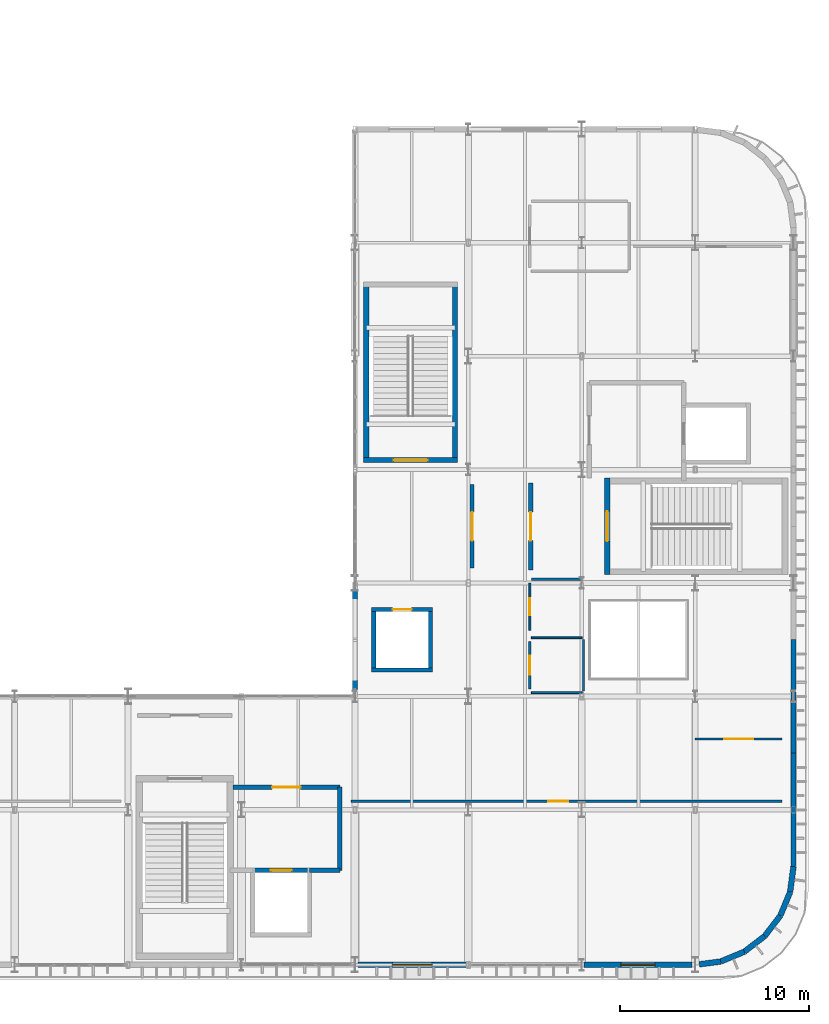
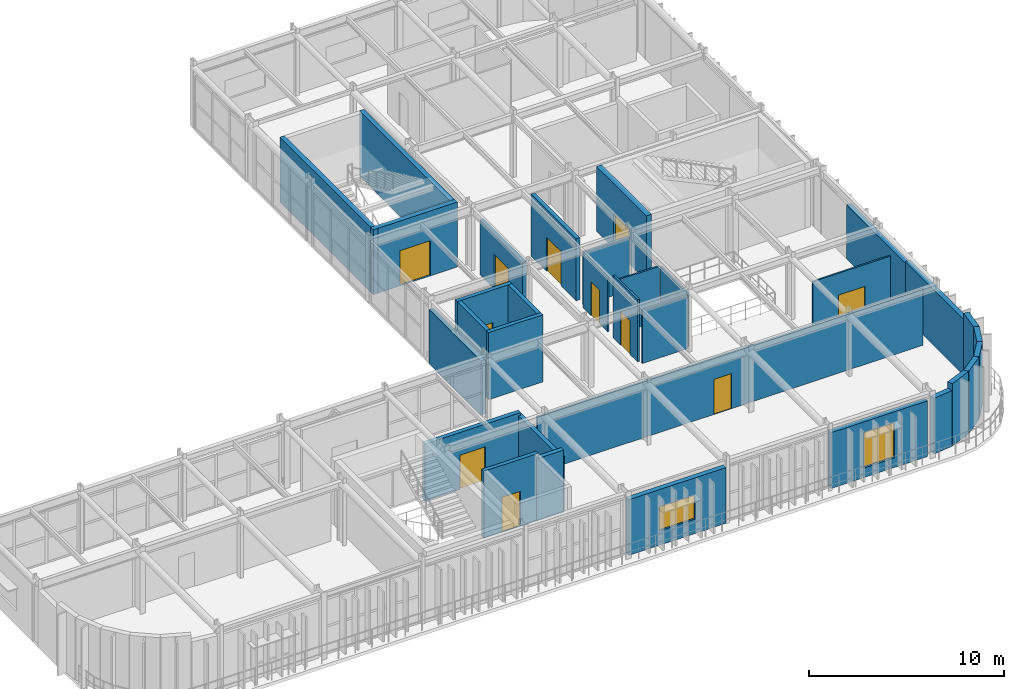
# One storey, part 94 of 116: 33 walls, 11 doors, 2 windows, 13 openings.
"""IFC4 building model written with IfcOpenShell, lengths in metres."""

from ifc_helpers import new_model, si_unit, direction, frame, frame_2d, origin, place, context, subcontext, project, spatial, rectangle, extrude, material, layer, layer_set, type_object, element, fill, save


model = new_model("IFC4")

# Units and contexts
model_context = context("Model", 3, precision=1e-05, world=origin(), true_north=direction((0.0, 1.0)))
body_context = subcontext(model_context, "Body", "Model", "MODEL_VIEW")
ifc_project = project(units=[si_unit("LENGTHUNIT", "METRE"), si_unit("AREAUNIT", "SQUARE_METRE"), si_unit("VOLUMEUNIT", "CUBIC_METRE"), si_unit("PLANEANGLEUNIT", "RADIAN"), si_unit("MASSUNIT", "GRAM", prefix="KILO")], contexts=[model_context])

# Site, building, storey
site_placement = place(None, origin())
site = spatial("IfcSite", under=ifc_project, at=site_placement, CompositionType="ELEMENT")
building_placement = place(site_placement, origin())
building = spatial("IfcBuilding", under=site, at=building_placement, Name="Varnakota Square Police Headquarters", CompositionType="ELEMENT")
storey_placement = place(building_placement, frame((0.0, 0.0, 9.300048828125)))
storey = spatial("IfcBuildingStorey", under=building, at=storey_placement, Name="L02", CompositionType="ELEMENT", Elevation=9.300048828125)

# Wall, opening, door
ifc_material_1 = material(Name="Concrete M40", Category="concrete")
ifc_layer_1 = layer(ifc_material_1, 0.22998046875, Name="Concrete M40")
ifc_layer_set_1 = layer_set([ifc_layer_1], Name="Concrete M40")
wall_type_1 = type_object("IfcWallType", Name="WL-CORE-230", PredefinedType="SHEAR", material=ifc_layer_set_1)
wall_1_placement = place(storey_placement, frame((135.715087890625, 5.800048828125, 0.0), z_axis=(0.0, 0.0, 1.0), x_axis=(-1.0, 0.0, 0.0)))
wall_1 = element("IfcWall", 1, at=wall_1_placement, inside=storey, type_object=wall_type_1, Name="Lift shaft wall LF-FF1 L02 N", PredefinedType="SHEAR", context=body_context, shape_type="SweptSolid", body=[
    extrude(rectangle(XDim=3.22998046875, YDim=0.22998046875, at=frame_2d((1.614990234375, 0.0))), origin(), (0.0, 0.0, 1.0), 4.199951171875),
])
opening_1_placement = place(wall_1_placement, frame((1.06494140625, 0.0, 0.0)))
opening_1 = element("IfcOpeningElement", 2, at=opening_1_placement, cuts=wall_1, Name="Opening LD003", PredefinedType="OPENING", context=body_context, shape_type="SweptSolid", body=[
    extrude(rectangle(XDim=1.10009765625, YDim=2.199951171875, at=frame_2d((0.550048828125, 1.10009765625))), frame((0.0, 0.125, 0.0), z_axis=(0.0, -1.0, 0.0), x_axis=(1.0, 0.0, 0.0)), (0.0, 0.0, 1.0), 0.25),
])
ifc_material_2 = material(Name="Brushed Grade 316 Stainless Steel", Category="steel")
door_type_1 = type_object("IfcDoorType", Name="DR-LD-FF", OperationType="NOTDEFINED", PredefinedType="DOOR", material=ifc_material_2)
door_1_placement = place(opening_1_placement, origin())
door_1 = element("IfcDoor", 3, at=door_1_placement, inside=storey, type_object=door_type_1, Name="Lift sliding landing door LD003", OperationType="SLIDING_TO_LEFT", OverallHeight=2.199951171875, OverallWidth=1.10009765625, PredefinedType="DOOR", context=body_context, shape_type="SweptSolid", body=[
    extrude(rectangle(XDim=1.10009765625, YDim=2.199951171875, at=frame_2d((0.550048828125, 1.10009765625))), frame((0.0, 0.02490234375, 0.0), z_axis=(0.0, -1.0, 0.0), x_axis=(1.0, 0.0, 0.0)), (0.0, 0.0, 1.0), 0.050048828125),
])
fill(opening_1, door_1)

# Walls
wall_2_placement = place(storey_placement, frame((138.885009765625, 16.39990234375, 0.0), z_axis=(0.0, 0.0, 1.0), x_axis=(1.0, 0.0, 0.0)))
element("IfcWall", 4, at=wall_2_placement, inside=storey, type_object=wall_type_1, Name="Lift shaft wall LF-P1 L02 S", PredefinedType="SHEAR", context=body_context, shape_type="SweptSolid", body=[
    extrude(rectangle(XDim=3.22998046875, YDim=0.22998046875, at=frame_2d((1.614990234375, 0.0))), origin(), (0.0, 0.0, 1.0), 4.199951171875),
])
wall_3_placement = place(storey_placement, frame((142.0, 16.284912109375, 0.0), z_axis=(0.0, 0.0, 1.0), x_axis=(0.0, 1.0, 0.0)))
element("IfcWall", 5, at=wall_3_placement, inside=storey, type_object=wall_type_1, Name="Lift shaft wall LF-P1 L02 E", PredefinedType="SHEAR", context=body_context, shape_type="SweptSolid", body=[
    extrude(rectangle(XDim=3.43017578125, YDim=0.22998046875, at=frame_2d((1.715087890625, 0.0))), origin(), (0.0, 0.0, 1.0), 4.199951171875),
])

# Wall, opening, door
wall_4_placement = place(storey_placement, frame((142.114990234375, 19.60009765625, 0.0), z_axis=(0.0, 0.0, 1.0), x_axis=(-1.0, 0.0, 0.0)))
wall_4 = element("IfcWall", 6, at=wall_4_placement, inside=storey, type_object=wall_type_1, Name="Lift shaft wall LF-P1 L02 N", PredefinedType="SHEAR", context=body_context, shape_type="SweptSolid", body=[
    extrude(rectangle(XDim=3.22998046875, YDim=0.22998046875, at=frame_2d((1.614990234375, 0.0))), origin(), (0.0, 0.0, 1.0), 4.199951171875),
])
opening_2_placement = place(wall_4_placement, frame((1.114990234375, 0.0, 0.0)))
opening_2 = element("IfcOpeningElement", 7, at=opening_2_placement, cuts=wall_4, Name="Opening LD019", PredefinedType="OPENING", context=body_context, shape_type="SweptSolid", body=[
    extrude(rectangle(XDim=1.0, YDim=2.14990234375, at=frame_2d((0.5, 1.074951171875))), frame((0.0, 0.125, 0.0), z_axis=(0.0, -1.0, 0.0), x_axis=(1.0, 0.0, 0.0)), (0.0, 0.0, 1.0), 0.25),
])
door_type_2 = type_object("IfcDoorType", Name="DR-LD-PAX", OperationType="NOTDEFINED", PredefinedType="DOOR", material=ifc_material_2)
door_2_placement = place(opening_2_placement, origin())
door_2 = element("IfcDoor", 8, at=door_2_placement, inside=storey, type_object=door_type_2, Name="Lift sliding landing door LD019", OperationType="SLIDING_TO_LEFT", OverallHeight=2.14990234375, OverallWidth=1.0, PredefinedType="DOOR", context=body_context, shape_type="SweptSolid", body=[
    extrude(rectangle(XDim=1.0, YDim=2.14990234375, at=frame_2d((0.5, 1.074951171875))), frame((0.0, 0.02490234375, 0.0), z_axis=(0.0, -1.0, 0.0), x_axis=(1.0, 0.0, 0.0)), (0.0, 0.0, 1.0), 0.050048828125),
])
fill(opening_2, door_2)

# Wall
wall_5_placement = place(storey_placement, frame((139.0, 19.715087890625, 0.0), z_axis=(0.0, 0.0, 1.0), x_axis=(0.0, -1.0, 0.0)))
element("IfcWall", 9, at=wall_5_placement, inside=storey, type_object=wall_type_1, Name="Lift shaft wall LF-P1 L02 W", PredefinedType="SHEAR", context=body_context, shape_type="SweptSolid", body=[
    extrude(rectangle(XDim=3.43017578125, YDim=0.22998046875, at=frame_2d((1.715087890625, 0.0))), origin(), (0.0, 0.0, 1.0), 4.199951171875),
])

# Wall, opening, door
ifc_material_3 = material(Name="Concrete M50", Category="concrete")
ifc_layer_2 = layer(ifc_material_3, 0.27001953125, Name="Concrete M50")
ifc_layer_set_2 = layer_set([ifc_layer_2], Name="Concrete M50")
wall_type_2 = type_object("IfcWallType", Name="WL-CORE-270", PredefinedType="SHEAR", material=ifc_layer_set_2)
wall_6_placement = place(storey_placement, frame((138.465087890625, 27.5, 0.0), z_axis=(0.0, 0.0, 1.0), x_axis=(1.0, 0.0, 0.0)))
wall_6 = element("IfcWall", 10, at=wall_6_placement, inside=storey, type_object=wall_type_2, Name="Core C3 shear wall L02 S", PredefinedType="SHEAR", context=body_context, shape_type="SweptSolid", body=[
    extrude(rectangle(XDim=4.969970703125, YDim=0.27001953125, at=frame_2d((2.48486328125, 0.0))), origin(), (0.0, 0.0, 1.0), 4.06005859375),
])
opening_3_placement = place(wall_6_placement, frame((1.5849609375, 0.0, 0.0)))
opening_3 = element("IfcOpeningElement", 11, at=opening_3_placement, cuts=wall_6, Name="Opening SD051", PredefinedType="OPENING", context=body_context, shape_type="SweptSolid", body=[
    extrude(rectangle(XDim=1.800048828125, YDim=2.199951171875, at=frame_2d((0.89990234375, 1.10009765625))), frame((0.0, 0.14501953125, 0.0), z_axis=(0.0, -1.0, 0.0), x_axis=(1.0, 0.0, 0.0)), (0.0, 0.0, 1.0), 0.2900390625),
])
ifc_material_4 = material(Name="Powder-Coated Galvanised Steel", Category="steel")
door_type_3 = type_object("IfcDoorType", Name="DR-ST-180", OperationType="NOTDEFINED", PredefinedType="DOOR", material=ifc_material_4)
door_3_placement = place(opening_3_placement, origin())
door_3 = element("IfcDoor", 12, at=door_3_placement, inside=storey, type_object=door_type_3, Name="Protected stair door SD051", OperationType="DOUBLE_DOOR_SINGLE_SWING", OverallHeight=2.199951171875, OverallWidth=1.800048828125, PredefinedType="DOOR", context=body_context, shape_type="SweptSolid", body=[
    extrude(rectangle(XDim=1.800048828125, YDim=2.199951171875, at=frame_2d((0.89990234375, 1.10009765625))), frame((0.0, 0.02490234375, 0.0), z_axis=(0.0, -1.0, 0.0), x_axis=(1.0, 0.0, 0.0)), (0.0, 0.0, 1.0), 0.050048828125),
])
fill(opening_3, door_3)

# Walls
for number, where, z_axis, x_axis, name in (
    (13, (143.300048828125, 27.364990234375, 0.0), (0.0, 0.0, 1.0), (0.0, 1.0, 0.0), "Core C3 shear wall L02 E"),
    (14, (138.60009765625, 36.93505859375, 0.0), (0.0, 0.0, 1.0), (0.0, -1.0, 0.0), "Core C3 shear wall L02 W"),
):
    element("IfcWall", number, at=place(storey_placement, frame(where, z_axis=z_axis, x_axis=x_axis)), inside=storey, type_object=wall_type_2, Name=name, PredefinedType="SHEAR", context=body_context, shape_type="SweptSolid", body=[
        extrude(rectangle(XDim=9.570068359375, YDim=0.27001953125, at=frame_2d((4.78515625, 0.0))), origin(), (0.0, 0.0, 1.0), 4.06005859375),
    ])

# Wall, opening, door
ifc_layer_3 = layer(ifc_material_3, 0.31005859375, Name="Concrete M50")
ifc_layer_set_3 = layer_set([ifc_layer_3], Name="Concrete M50")
wall_type_3 = type_object("IfcWallType", Name="WL-CORE-310", PredefinedType="SHEAR", material=ifc_layer_set_3)
wall_7_placement = place(storey_placement, frame((151.35009765625, 26.554931640625, 0.0), z_axis=(0.0, 0.0, 1.0), x_axis=(0.0, -1.0, 0.0)))
wall_7 = element("IfcWall", 15, at=wall_7_placement, inside=storey, type_object=wall_type_3, Name="Core C2 shear wall L02 W", PredefinedType="SHEAR", context=body_context, shape_type="SweptSolid", body=[
    extrude(rectangle(XDim=5.10986328125, YDim=0.31005859375, at=frame_2d((2.554931640625, 0.0))), origin(), (0.0, 0.0, 1.0), 4.06005859375),
])
opening_4_placement = place(wall_7_placement, frame((1.7548828125, 0.0, 0.0)))
opening_4 = element("IfcOpeningElement", 16, at=opening_4_placement, cuts=wall_7, Name="Opening SD027", PredefinedType="OPENING", context=body_context, shape_type="SweptSolid", body=[
    extrude(rectangle(XDim=1.60009765625, YDim=2.199951171875, at=frame_2d((0.800048828125, 1.10009765625))), frame((0.0, 0.1650390625, 0.0), z_axis=(0.0, -1.0, 0.0), x_axis=(1.0, 0.0, 0.0)), (0.0, 0.0, 1.0), 0.330078125),
])
door_type_4 = type_object("IfcDoorType", Name="DR-ST-160", OperationType="NOTDEFINED", PredefinedType="DOOR", material=ifc_material_4)
door_4_placement = place(opening_4_placement, origin())
door_4 = element("IfcDoor", 17, at=door_4_placement, inside=storey, type_object=door_type_4, Name="Protected stair door SD027", OperationType="DOUBLE_DOOR_SINGLE_SWING", OverallHeight=2.199951171875, OverallWidth=1.60009765625, PredefinedType="DOOR", context=body_context, shape_type="SweptSolid", body=[
    extrude(rectangle(XDim=1.60009765625, YDim=2.199951171875, at=frame_2d((0.800048828125, 1.10009765625))), frame((0.0, 0.02490234375, 0.0), z_axis=(0.0, -1.0, 0.0), x_axis=(1.0, 0.0, 0.0)), (0.0, 0.0, 1.0), 0.050048828125),
])
fill(opening_4, door_4)

# Wall, opening, window
ifc_layer_4 = layer(ifc_material_1, 0.280029296875, Name="Concrete M40")
ifc_layer_set_4 = layer_set([ifc_layer_4], Name="Concrete M40")
wall_type_4 = type_object("IfcWallType", Name="WL-EXT-280", PredefinedType="SOLIDWALL", material=ifc_layer_set_4)
wall_8_placement = place(storey_placement, frame((138.1640625, 0.800048828125, 0.0), z_axis=(0.0, 0.0, 1.0), x_axis=(1.0, 0.0, 0.0)))
wall_8 = element("IfcWall", 18, at=wall_8_placement, inside=storey, type_object=wall_type_4, Name="Exterior wall EW-L02-0178", PredefinedType="SOLIDWALL", context=body_context, shape_type="SweptSolid", body=[
    extrude(rectangle(XDim=5.73193359375, YDim=0.280029296875, at=frame_2d((2.865966796875, 0.0))), origin(), (0.0, 0.0, 1.0), 3.483642578125),
])
opening_5_placement = place(wall_8_placement, frame((1.81591796875, 0.0, 0.89990234375)))
opening_5 = element("IfcOpeningElement", 19, at=opening_5_placement, cuts=wall_8, Name="Opening W08", PredefinedType="OPENING", context=body_context, shape_type="SweptSolid", body=[
    extrude(rectangle(XDim=2.10009765625, YDim=1.5, at=frame_2d((1.050048828125, 0.75))), frame((0.0, 0.14990234375, 0.0), z_axis=(0.0, -1.0, 0.0), x_axis=(1.0, 0.0, 0.0)), (0.0, 0.0, 1.0), 0.300048828125),
])
ifc_material_5 = material(Name="Thermally Broken Aluminium Double-Glazed Window", Category="aluminium")
window_type_1 = type_object("IfcWindowType", Name="WIN-08", PartitioningType="SINGLE_PANEL", PredefinedType="WINDOW", material=ifc_material_5)
window_1_placement = place(opening_5_placement, origin())
window_1 = element("IfcWindow", 20, at=window_1_placement, inside=storey, type_object=window_type_1, Name="Window WN-L02-0027", OverallHeight=1.5, OverallWidth=2.10009765625, PartitioningType="SINGLE_PANEL", PredefinedType="WINDOW", context=body_context, shape_type="SweptSolid", body=[
    extrude(rectangle(XDim=2.10009765625, YDim=1.5, at=frame_2d((1.050048828125, 0.75))), frame((0.0, 0.030029296875, 0.0), z_axis=(0.0, -1.0, 0.0), x_axis=(1.0, 0.0, 0.0)), (0.0, 0.0, 1.0), 0.06005859375),
])
fill(opening_5, window_1)

wall_9_placement = place(storey_placement, frame((150.10888671875, 0.800048828125, 0.0), z_axis=(0.0, 0.0, 1.0), x_axis=(1.0, 0.0, 0.0)))
wall_9 = element("IfcWall", 21, at=wall_9_placement, inside=storey, type_object=wall_type_4, Name="Exterior wall EW-L02-0179", PredefinedType="SOLIDWALL", context=body_context, shape_type="SweptSolid", body=[
    extrude(rectangle(XDim=5.72705078125, YDim=0.280029296875, at=frame_2d((2.863525390625, 0.0))), origin(), (0.0, 0.0, 1.0), 3.483642578125),
])
opening_6_placement = place(wall_9_placement, frame((1.96337890625, 0.0, 0.60009765625)))
opening_6 = element("IfcOpeningElement", 22, at=opening_6_placement, cuts=wall_9, Name="Opening W11", PredefinedType="OPENING", context=body_context, shape_type="SweptSolid", body=[
    extrude(rectangle(XDim=1.800048828125, YDim=2.199951171875, at=frame_2d((0.89990234375, 1.10009765625))), frame((0.0, 0.14990234375, 0.0), z_axis=(0.0, -1.0, 0.0), x_axis=(1.0, 0.0, 0.0)), (0.0, 0.0, 1.0), 0.300048828125),
])
window_type_2 = type_object("IfcWindowType", Name="WIN-11", PartitioningType="SINGLE_PANEL", PredefinedType="WINDOW", material=ifc_material_5)
window_2_placement = place(opening_6_placement, origin())
window_2 = element("IfcWindow", 23, at=window_2_placement, inside=storey, type_object=window_type_2, Name="Window WN-L02-0028", OverallHeight=2.199951171875, OverallWidth=1.800048828125, PartitioningType="SINGLE_PANEL", PredefinedType="WINDOW", context=body_context, shape_type="SweptSolid", body=[
    extrude(rectangle(XDim=1.800048828125, YDim=2.199951171875, at=frame_2d((0.89990234375, 1.10009765625))), frame((0.0, 0.030029296875, 0.0), z_axis=(0.0, -1.0, 0.0), x_axis=(1.0, 0.0, 0.0)), (0.0, 0.0, 1.0), 0.06005859375),
])
fill(opening_6, window_2)

# Walls
wall_10_placement = place(storey_placement, frame((161.199951171875, 6.0, 0.0), z_axis=(0.0, 0.0, 1.0), x_axis=(0.0, 1.0, 0.0)))
element("IfcWall", 24, at=wall_10_placement, inside=storey, type_object=wall_type_4, Name="Exterior wall EW-L02-0180", PredefinedType="SOLIDWALL", context=body_context, shape_type="SweptSolid", body=[
    extrude(rectangle(XDim=6.0, YDim=0.280029296875, at=frame_2d((3.0, 0.0))), origin(), (0.0, 0.0, 1.0), 3.489990234375),
])
wall_11_placement = place(storey_placement, frame((161.199951171875, 12.0, 0.0), z_axis=(0.0, 0.0, 1.0), x_axis=(0.0, 1.0, 0.0)))
element("IfcWall", 25, at=wall_11_placement, inside=storey, type_object=wall_type_4, Name="Exterior wall EW-L02-0181", PredefinedType="SOLIDWALL", context=body_context, shape_type="SweptSolid", body=[
    extrude(rectangle(XDim=6.0, YDim=0.280029296875, at=frame_2d((3.0, 0.0))), origin(), (0.0, 0.0, 1.0), 3.389892578125),
])
wall_12_placement = place(storey_placement, frame((138.0, 15.303955078125, 0.0), z_axis=(0.0, 0.0, 1.0), x_axis=(0.0, 1.0, 0.0)))
element("IfcWall", 26, at=wall_12_placement, inside=storey, type_object=wall_type_4, Name="Exterior wall EW-L02-0187", PredefinedType="SOLIDWALL", context=body_context, shape_type="SweptSolid", body=[
    extrude(rectangle(XDim=5.2919921875, YDim=0.280029296875, at=frame_2d((2.64599609375, 0.0))), origin(), (0.0, 0.0, 1.0), 3.389892578125),
])
ifc_material_6 = material(Name="Precast concrete M40", Category="concrete")
ifc_layer_5 = layer(ifc_material_6, 0.300048828125, Name="Precast concrete M40")
ifc_layer_set_5 = layer_set([ifc_layer_5], Name="Precast concrete M40")
wall_type_5 = type_object("IfcWallType", Name="WL-EXT-300", PredefinedType="SOLIDWALL", material=ifc_layer_set_5)
wall_13_placement = place(storey_placement, frame((156.212890625, 0.827880859375, 0.0), z_axis=(0.0, 0.0, 1.0), x_axis=(0.991417173479, 0.130736330569, 0.0)))
element("IfcWall", 27, at=wall_13_placement, inside=storey, type_object=wall_type_5, Name="Exterior wall EW-L02-0199", PredefinedType="SOLIDWALL", context=body_context, shape_type="SweptSolid", body=[
    extrude(rectangle(XDim=1.142822265625, YDim=0.300048828125, at=frame_2d((0.5712890625, 0.0))), origin(), (0.0, 0.0, 1.0), 3.483642578125),
])
for number, where, z_axis, x_axis, name in (
    (28, (157.345947265625, 0.977294921875, 0.0), (0.0, 0.0, 1.0), (0.923931353894, 0.382558300513, 0.0), "Exterior wall EW-L02-0200"),
    (29, (158.60009765625, 1.49658203125, 0.0), (0.0, 0.0, 1.0), (0.793325486746, 0.608797726736, 0.0), "Exterior wall EW-L02-0201"),
    (30, (159.677001953125, 2.322998046875, 0.0), (0.0, 0.0, 1.0), (0.608797726736, 0.793325486746, 0.0), "Exterior wall EW-L02-0202"),
    (31, (160.50341796875, 3.39990234375, 0.0), (0.0, 0.0, 1.0), (0.382558300513, 0.923931353894, 0.0), "Exterior wall EW-L02-0203"),
):
    element("IfcWall", number, at=place(storey_placement, frame(where, z_axis=z_axis, x_axis=x_axis)), inside=storey, type_object=wall_type_5, Name=name, PredefinedType="SOLIDWALL", context=body_context, shape_type="SweptSolid", body=[
        extrude(rectangle(XDim=1.357421875, YDim=0.300048828125, at=frame_2d((0.6787109375, 0.0))), origin(), (0.0, 0.0, 1.0), 3.89501953125),
    ])
wall_14_placement = place(storey_placement, frame((161.022705078125, 4.654052734375, 0.0), z_axis=(0.0, 0.0, 1.0), x_axis=(0.130561507967, 0.991440211328, 0.0)))
element("IfcWall", 32, at=wall_14_placement, inside=storey, type_object=wall_type_5, Name="Exterior wall EW-L02-0204", PredefinedType="SOLIDWALL", context=body_context, shape_type="SweptSolid", body=[
    extrude(rectangle(XDim=1.357666015625, YDim=0.300048828125, at=frame_2d((0.6787109375, 0.0))), origin(), (0.0, 0.0, 1.0), 3.89501953125),
])

# Wall, opening, door
ifc_material_7 = material(Name="Lightweight Demountable Office Partition", Category="gypsum")
ifc_layer_6 = layer(ifc_material_7, 0.094970703125, Name="Lightweight Demountable Office Partition")
ifc_layer_set_6 = layer_set([ifc_layer_6], Name="Lightweight Demountable Office Partition")
wall_type_6 = type_object("IfcWallType", Name="WL-PRT-095", PredefinedType="PARTITIONING", material=ifc_layer_set_6)
wall_15_placement = place(storey_placement, frame((160.60009765625, 12.75, 0.0), z_axis=(0.0, 0.0, 1.0), x_axis=(-1.0, 0.0, 0.0)))
wall_15 = element("IfcWall", 33, at=wall_15_placement, inside=storey, type_object=wall_type_6, Name="Interior partition PW-L02-0148 (Detective Division Briefing Room)", PredefinedType="PARTITIONING", context=body_context, shape_type="SweptSolid", body=[
    extrude(rectangle(XDim=4.60009765625, YDim=0.094970703125, at=frame_2d((2.300048828125, 0.0))), origin(), (0.0, 0.0, 1.0), 3.566162109375),
])
opening_7_placement = place(wall_15_placement, frame((1.52490234375, 0.0, 0.0)))
opening_7 = element("IfcOpeningElement", 34, at=opening_7_placement, cuts=wall_15, Name="Opening D235", PredefinedType="OPENING", context=body_context, shape_type="SweptSolid", body=[
    extrude(rectangle(XDim=1.550048828125, YDim=2.199951171875, at=frame_2d((0.77490234375, 1.10009765625))), frame((0.0, 0.057373046875, 0.0), z_axis=(0.0, -1.0, 0.0), x_axis=(1.0, 0.0, 0.0)), (0.0, 0.0, 1.0), 0.114990234375),
])
ifc_material_8 = material(Name="Solid-Core Acoustic Oak Veneer Timber", Category="wood")
door_type_5 = type_object("IfcDoorType", Name="DR-BRF-155", OperationType="NOTDEFINED", PredefinedType="DOOR", material=ifc_material_8)
door_5_placement = place(opening_7_placement, origin())
door_5 = element("IfcDoor", 35, at=door_5_placement, inside=storey, type_object=door_type_5, Name="Room door D235 (Detective Division Briefing Room)", OperationType="DOUBLE_DOOR_SINGLE_SWING", OverallHeight=2.199951171875, OverallWidth=1.550048828125, PredefinedType="DOOR", context=body_context, shape_type="SweptSolid", body=[
    extrude(rectangle(XDim=1.550048828125, YDim=2.199951171875, at=frame_2d((0.77490234375, 1.10009765625))), frame((0.0, 0.02490234375, 0.0), z_axis=(0.0, -1.0, 0.0), x_axis=(1.0, 0.0, 0.0)), (0.0, 0.0, 1.0), 0.050048828125),
])
fill(opening_7, door_5)

# Wall
wall_16_placement = place(storey_placement, frame((147.330078125, 18.10009765625, 0.0), z_axis=(0.0, 0.0, 1.0), x_axis=(1.0, 0.0, 0.0)))
element("IfcWall", 36, at=wall_16_placement, inside=storey, type_object=wall_type_6, Name="Interior dividing partition PW-L02-0155 (L02 Accessible WC East)", PredefinedType="PARTITIONING", context=body_context, shape_type="SweptSolid", body=[
    extrude(rectangle(XDim=2.68994140625, YDim=0.094970703125, at=frame_2d((1.344970703125, 0.0))), origin(), (0.0, 0.0, 1.0), 3.389892578125),
])

# Wall, opening, door
ifc_material_9 = material(Name="Glazed Clean-Lab Modular Partition", Category="gypsum")
ifc_layer_7 = layer(ifc_material_9, 0.10498046875, Name="Glazed Clean-Lab Modular Partition")
ifc_layer_set_7 = layer_set([ifc_layer_7], Name="Glazed Clean-Lab Modular Partition")
wall_type_7 = type_object("IfcWallType", Name="WL-PRT-105", PredefinedType="PARTITIONING", material=ifc_layer_set_7)
wall_17_placement = place(storey_placement, frame((147.25, 18.5, 0.0), z_axis=(0.0, 0.0, 1.0), x_axis=(0.0, 1.0, 0.0)))
wall_17 = element("IfcWall", 37, at=wall_17_placement, inside=storey, type_object=wall_type_7, Name="Interior partition PW-L02-0128 (L02 Operations Men Washroom WC)", PredefinedType="PARTITIONING", context=body_context, shape_type="SweptSolid", body=[
    extrude(rectangle(XDim=2.5, YDim=0.10498046875, at=frame_2d((1.25, 0.0))), origin(), (0.0, 0.0, 1.0), 3.33984375),
])
opening_8_placement = place(wall_17_placement, frame((0.800048828125, 0.0, 0.0)))
opening_8 = element("IfcOpeningElement", 38, at=opening_8_placement, cuts=wall_17, Name="Opening D215", PredefinedType="OPENING", context=body_context, shape_type="SweptSolid", body=[
    extrude(rectangle(XDim=0.89990234375, YDim=2.10009765625, at=frame_2d((0.449951171875, 1.050048828125))), frame((0.0, 0.0625, 0.0), z_axis=(0.0, -1.0, 0.0), x_axis=(1.0, 0.0, 0.0)), (0.0, 0.0, 1.0), 0.125),
])
ifc_material_10 = material(Name="High-Pressure Moisture-Resistant Compact Laminate")
door_type_6 = type_object("IfcDoorType", Name="DR-WC-090", OperationType="NOTDEFINED", PredefinedType="DOOR", material=ifc_material_10)
door_6_placement = place(opening_8_placement, origin())
door_6 = element("IfcDoor", 39, at=door_6_placement, inside=storey, type_object=door_type_6, Name="Room door D215 (L02 Operations Men Washroom WC)", OperationType="SINGLE_SWING_RIGHT", OverallHeight=2.10009765625, OverallWidth=0.89990234375, PredefinedType="DOOR", context=body_context, shape_type="SweptSolid", body=[
    extrude(rectangle(XDim=0.89990234375, YDim=2.10009765625, at=frame_2d((0.449951171875, 1.050048828125))), frame((0.0, 0.02490234375, 0.0), z_axis=(0.0, -1.0, 0.0), x_axis=(1.0, 0.0, 0.0)), (0.0, 0.0, 1.0), 0.050048828125),
])
fill(opening_8, door_6)

# Walls
wall_18_placement = place(storey_placement, frame((150.02001953125, 15.199951171875, 0.0), z_axis=(0.0, 0.0, 1.0), x_axis=(-1.0, 0.0, 0.0)))
element("IfcWall", 40, at=wall_18_placement, inside=storey, type_object=wall_type_7, Name="Interior dividing partition PW-L02-0154 (L02 Accessible WC East)", PredefinedType="PARTITIONING", context=body_context, shape_type="SweptSolid", body=[
    extrude(rectangle(XDim=2.68994140625, YDim=0.10498046875, at=frame_2d((1.344970703125, 0.0))), origin(), (0.0, 0.0, 1.0), 3.33984375),
])
ifc_material_11 = material(Name="Moisture-Resistant Tile-Backed Partition", Category="gypsum")
ifc_layer_8 = layer(ifc_material_11, 0.114990234375, Name="Moisture-Resistant Tile-Backed Partition")
ifc_layer_set_8 = layer_set([ifc_layer_8], Name="Moisture-Resistant Tile-Backed Partition")
wall_type_8 = type_object("IfcWallType", Name="WL-PRT-115", PredefinedType="PARTITIONING", material=ifc_layer_set_8)
wall_19_placement = place(storey_placement, frame((150.10009765625, 18.02001953125, 0.0), z_axis=(0.0, 0.0, 1.0), x_axis=(0.0, -1.0, 0.0)))
element("IfcWall", 41, at=wall_19_placement, inside=storey, type_object=wall_type_8, Name="Interior dividing partition PW-L02-0153 (L02 Accessible WC East)", PredefinedType="PARTITIONING", context=body_context, shape_type="SweptSolid", body=[
    extrude(rectangle(XDim=2.739990234375, YDim=0.114990234375, at=frame_2d((1.3701171875, 0.0))), origin(), (0.0, 0.0, 1.0), 3.389892578125),
])

# Wall, opening, door
ifc_material_12 = material(Name="Acoustic Insulated Metal-Stud Partition", Category="gypsum")
ifc_layer_9 = layer(ifc_material_12, 0.125, Name="Acoustic Insulated Metal-Stud Partition")
ifc_layer_set_9 = layer_set([ifc_layer_9], Name="Acoustic Insulated Metal-Stud Partition")
wall_type_9 = type_object("IfcWallType", Name="WL-PRT-125", PredefinedType="PARTITIONING", material=ifc_layer_set_9)
wall_20_placement = place(storey_placement, frame((147.25, 15.39990234375, 0.0), z_axis=(0.0, 0.0, 1.0), x_axis=(0.0, 1.0, 0.0)))
wall_20 = element("IfcWall", 42, at=wall_20_placement, inside=storey, type_object=wall_type_9, Name="Interior partition PW-L02-0127 (L02 Accessible WC East)", PredefinedType="PARTITIONING", context=body_context, shape_type="SweptSolid", body=[
    extrude(rectangle(XDim=2.5, YDim=0.125, at=frame_2d((1.25, 0.0))), origin(), (0.0, 0.0, 1.0), 3.889892578125),
])
opening_9_placement = place(wall_20_placement, frame((0.75, 0.0, 0.0)))
opening_9 = element("IfcOpeningElement", 43, at=opening_9_placement, cuts=wall_20, Name="Opening D214", PredefinedType="OPENING", context=body_context, shape_type="SweptSolid", body=[
    extrude(rectangle(XDim=1.0, YDim=2.10009765625, at=frame_2d((0.5, 1.050048828125))), frame((0.0, 0.072509765625, 0.0), z_axis=(0.0, -1.0, 0.0), x_axis=(1.0, 0.0, 0.0)), (0.0, 0.0, 1.0), 0.14501953125),
])
ifc_material_13 = material(Name="Antimicrobial High-Pressure Compact Laminate")
door_type_7 = type_object("IfcDoorType", Name="DR-WCA-100", OperationType="NOTDEFINED", PredefinedType="DOOR", material=ifc_material_13)
door_7_placement = place(opening_9_placement, origin())
door_7 = element("IfcDoor", 44, at=door_7_placement, inside=storey, type_object=door_type_7, Name="Room door D214 (L02 Accessible WC East)", OperationType="SINGLE_SWING_LEFT", OverallHeight=2.10009765625, OverallWidth=1.0, PredefinedType="DOOR", context=body_context, shape_type="SweptSolid", body=[
    extrude(rectangle(XDim=1.0, YDim=2.10009765625, at=frame_2d((0.5, 1.050048828125))), frame((0.0, 0.02490234375, 0.0), z_axis=(0.0, -1.0, 0.0), x_axis=(1.0, 0.0, 0.0)), (0.0, 0.0, 1.0), 0.050048828125),
])
fill(opening_9, door_7)

# Wall
wall_21_placement = place(storey_placement, frame((147.330078125, 21.199951171875, 0.0), z_axis=(0.0, 0.0, 1.0), x_axis=(1.0, 0.0, 0.0)))
element("IfcWall", 45, at=wall_21_placement, inside=storey, type_object=wall_type_9, Name="Interior dividing partition PW-L02-0156 (L02 Operations Men Washroom WC)", PredefinedType="PARTITIONING", context=body_context, shape_type="SweptSolid", body=[
    extrude(rectangle(XDim=2.68994140625, YDim=0.125, at=frame_2d((1.344970703125, 0.0))), origin(), (0.0, 0.0, 1.0), 3.33984375),
])

# Wall, opening, door
ifc_layer_10 = layer(ifc_material_12, 0.139892578125, Name="Acoustic Insulated Metal-Stud Partition")
ifc_layer_set_10 = layer_set([ifc_layer_10], Name="Acoustic Insulated Metal-Stud Partition")
wall_type_10 = type_object("IfcWallType", Name="WL-PRT-140", PredefinedType="PARTITIONING", material=ifc_layer_set_10)
wall_22_placement = place(storey_placement, frame((137.800048828125, 9.449951171875, 0.0), z_axis=(0.0, 0.0, 1.0), x_axis=(1.0, 0.0, 0.0)))
wall_22 = element("IfcWall", 46, at=wall_22_placement, inside=storey, type_object=wall_type_10, Name="Interior partition PW-L02-0146 (Detective Division South Suite)", PredefinedType="PARTITIONING", context=body_context, shape_type="SweptSolid", body=[
    extrude(rectangle(XDim=22.800048828125, YDim=0.139892578125, at=frame_2d((11.39990234375, 0.0))), origin(), (0.0, 0.0, 1.0), 3.489990234375),
])
opening_10_placement = place(wall_22_placement, frame((10.425048828125, 0.0, 0.0)))
opening_10 = element("IfcOpeningElement", 47, at=opening_10_placement, cuts=wall_22, Name="Opening D233", PredefinedType="OPENING", context=body_context, shape_type="SweptSolid", body=[
    extrude(rectangle(XDim=1.050048828125, YDim=2.199951171875, at=frame_2d((0.52490234375, 1.10009765625))), frame((0.0, 0.079833984375, 0.0), z_axis=(0.0, -1.0, 0.0), x_axis=(1.0, 0.0, 0.0)), (0.0, 0.0, 1.0), 0.159912109375),
])
ifc_material_14 = material(Name="Anodised Aluminium and Laminated Acoustic Glass", Category="aluminium")
door_type_8 = type_object("IfcDoorType", Name="DR-OFF-105", OperationType="NOTDEFINED", PredefinedType="DOOR", material=ifc_material_14)
door_8_placement = place(opening_10_placement, origin())
door_8 = element("IfcDoor", 48, at=door_8_placement, inside=storey, type_object=door_type_8, Name="Room door D233 (Detective Division South Suite)", OperationType="SINGLE_SWING_RIGHT", OverallHeight=2.199951171875, OverallWidth=1.050048828125, PredefinedType="DOOR", context=body_context, shape_type="SweptSolid", body=[
    extrude(rectangle(XDim=1.050048828125, YDim=2.199951171875, at=frame_2d((0.52490234375, 1.10009765625))), frame((0.0, 0.02490234375, 0.0), z_axis=(0.0, -1.0, 0.0), x_axis=(1.0, 0.0, 0.0)), (0.0, 0.0, 1.0), 0.050048828125),
])
fill(opening_10, door_8)

ifc_layer_11 = layer(ifc_material_1, 0.215087890625, Name="Concrete M40")
ifc_layer_set_11 = layer_set([ifc_layer_11], Name="Concrete M40")
wall_type_11 = type_object("IfcWallType", Name="WL-PRT-215F", PredefinedType="PARTITIONING", material=ifc_layer_set_11)
wall_23_placement = place(storey_placement, frame((147.300048828125, 21.699951171875, 0.0), z_axis=(0.0, 0.0, 1.0), x_axis=(0.0, 1.0, 0.0)))
wall_23 = element("IfcWall", 49, at=wall_23_placement, inside=storey, type_object=wall_type_11, Name="Core C2 lobby fire partition L02", PredefinedType="PARTITIONING", context=body_context, shape_type="SweptSolid", body=[
    extrude(rectangle(XDim=4.60009765625, YDim=0.215087890625, at=frame_2d((2.300048828125, 0.0))), origin(), (0.0, 0.0, 1.0), 3.889892578125),
])
opening_11_placement = place(wall_23_placement, frame((1.550048828125, 0.0, 0.0)))
opening_11 = element("IfcOpeningElement", 50, at=opening_11_placement, cuts=wall_23, Name="Opening FD037", PredefinedType="OPENING", context=body_context, shape_type="SweptSolid", body=[
    extrude(rectangle(XDim=1.5, YDim=2.14990234375, at=frame_2d((0.75, 1.074951171875))), frame((0.0, 0.117431640625, 0.0), z_axis=(0.0, -1.0, 0.0), x_axis=(1.0, 0.0, 0.0)), (0.0, 0.0, 1.0), 0.235107421875),
])
ifc_material_15 = material(Name="Smoke-Sealed Galvanised Acoustic Steel", Category="steel")
door_type_9 = type_object("IfcDoorType", Name="DR-FFL-150", OperationType="NOTDEFINED", PredefinedType="DOOR", material=ifc_material_15)
door_9_placement = place(opening_11_placement, origin())
door_9 = element("IfcDoor", 51, at=door_9_placement, inside=storey, type_object=door_type_9, Name="Core lobby smoke door FD037", OperationType="DOUBLE_DOOR_SINGLE_SWING", OverallHeight=2.14990234375, OverallWidth=1.5, PredefinedType="DOOR", context=body_context, shape_type="SweptSolid", body=[
    extrude(rectangle(XDim=1.5, YDim=2.14990234375, at=frame_2d((0.75, 1.074951171875))), frame((0.0, 0.02490234375, 0.0), z_axis=(0.0, -1.0, 0.0), x_axis=(1.0, 0.0, 0.0)), (0.0, 0.0, 1.0), 0.050048828125),
])
fill(opening_11, door_9)

wall_24_placement = place(storey_placement, frame((144.199951171875, 21.800048828125, 0.0), z_axis=(0.0, 0.0, 1.0), x_axis=(0.0, 1.0, 0.0)))
wall_24 = element("IfcWall", 52, at=wall_24_placement, inside=storey, type_object=wall_type_11, Name="Core C3 lobby fire partition L02", PredefinedType="PARTITIONING", context=body_context, shape_type="SweptSolid", body=[
    extrude(rectangle(XDim=4.39990234375, YDim=0.215087890625, at=frame_2d((2.199951171875, 0.0))), origin(), (0.0, 0.0, 1.0), 3.43994140625),
])
opening_12_placement = place(wall_24_placement, frame((1.449951171875, 0.0, 0.0)))
opening_12 = element("IfcOpeningElement", 53, at=opening_12_placement, cuts=wall_24, Name="Opening FD059", PredefinedType="OPENING", context=body_context, shape_type="SweptSolid", body=[
    extrude(rectangle(XDim=1.5, YDim=2.14990234375, at=frame_2d((0.75, 1.074951171875))), frame((0.0, 0.117431640625, 0.0), z_axis=(0.0, -1.0, 0.0), x_axis=(1.0, 0.0, 0.0)), (0.0, 0.0, 1.0), 0.235107421875),
])
door_10_placement = place(opening_12_placement, origin())
door_10 = element("IfcDoor", 54, at=door_10_placement, inside=storey, type_object=door_type_9, Name="Core lobby smoke door FD059", OperationType="DOUBLE_DOOR_SINGLE_SWING", OverallHeight=2.14990234375, OverallWidth=1.5, PredefinedType="DOOR", context=body_context, shape_type="SweptSolid", body=[
    extrude(rectangle(XDim=1.5, YDim=2.14990234375, at=frame_2d((0.75, 1.074951171875))), frame((0.0, 0.02490234375, 0.0), z_axis=(0.0, -1.0, 0.0), x_axis=(1.0, 0.0, 0.0)), (0.0, 0.0, 1.0), 0.050048828125),
])
fill(opening_12, door_10)

ifc_layer_12 = layer(ifc_material_1, 0.25, Name="Concrete M40")
ifc_layer_set_12 = layer_set([ifc_layer_12], Name="Concrete M40")
wall_type_12 = type_object("IfcWallType", Name="WL-PRT-250F", PredefinedType="PARTITIONING", material=ifc_layer_set_12)
wall_25_placement = place(storey_placement, frame((131.550048828125, 10.199951171875, 0.0), z_axis=(0.0, 0.0, 1.0), x_axis=(1.0, 0.0, 0.0)))
wall_25 = element("IfcWall", 55, at=wall_25_placement, inside=storey, type_object=wall_type_12, Name="Firefighting lobby enclosure C1 L02", PredefinedType="PARTITIONING", context=body_context, shape_type="SweptSolid", body=[
    extrude(rectangle(XDim=5.64990234375, YDim=0.25, at=frame_2d((2.824951171875, 0.0))), origin(), (0.0, 0.0, 1.0), 3.566162109375),
])
opening_13_placement = place(wall_25_placement, frame((2.074951171875, 0.0, 0.0)))
opening_13 = element("IfcOpeningElement", 56, at=opening_13_placement, cuts=wall_25, Name="Opening FD014", PredefinedType="OPENING", context=body_context, shape_type="SweptSolid", body=[
    extrude(rectangle(XDim=1.5, YDim=2.14990234375, at=frame_2d((0.75, 1.074951171875))), frame((0.0, 0.135009765625, 0.0), z_axis=(0.0, -1.0, 0.0), x_axis=(1.0, 0.0, 0.0)), (0.0, 0.0, 1.0), 0.27001953125),
])
door_11_placement = place(opening_13_placement, origin())
door_11 = element("IfcDoor", 57, at=door_11_placement, inside=storey, type_object=door_type_9, Name="Firefighting lobby fire door FD014", OperationType="DOUBLE_DOOR_SINGLE_SWING", OverallHeight=2.14990234375, OverallWidth=1.5, PredefinedType="DOOR", context=body_context, shape_type="SweptSolid", body=[
    extrude(rectangle(XDim=1.5, YDim=2.14990234375, at=frame_2d((0.75, 1.074951171875))), frame((0.0, 0.02490234375, 0.0), z_axis=(0.0, -1.0, 0.0), x_axis=(1.0, 0.0, 0.0)), (0.0, 0.0, 1.0), 0.050048828125),
])
fill(opening_13, door_11)

# Walls
wall_26_placement = place(storey_placement, frame((137.199951171875, 5.800048828125, 0.0), z_axis=(0.0, 0.0, 1.0), x_axis=(0.0, 1.0, 0.0)))
element("IfcWall", 58, at=wall_26_placement, inside=storey, type_object=wall_type_12, Name="Firefighting lobby return wall C1 L02 E", PredefinedType="PARTITIONING", context=body_context, shape_type="SweptSolid", body=[
    extrude(rectangle(XDim=4.39990234375, YDim=0.25, at=frame_2d((2.199951171875, 0.0))), origin(), (0.0, 0.0, 1.0), 3.389892578125),
])
wall_27_placement = place(storey_placement, frame((135.60009765625, 5.800048828125, 0.0), z_axis=(0.0, 0.0, 1.0), x_axis=(1.0, 0.0, 0.0)))
element("IfcWall", 59, at=wall_27_placement, inside=storey, type_object=wall_type_12, Name="Firefighting lobby return wall C1 L02 SE", PredefinedType="PARTITIONING", context=body_context, shape_type="SweptSolid", body=[
    extrude(rectangle(XDim=1.599853515625, YDim=0.25, at=frame_2d((0.7998046875, 0.0))), origin(), (0.0, 0.0, 1.0), 3.889892578125),
])

save(model, "model.ifc")
